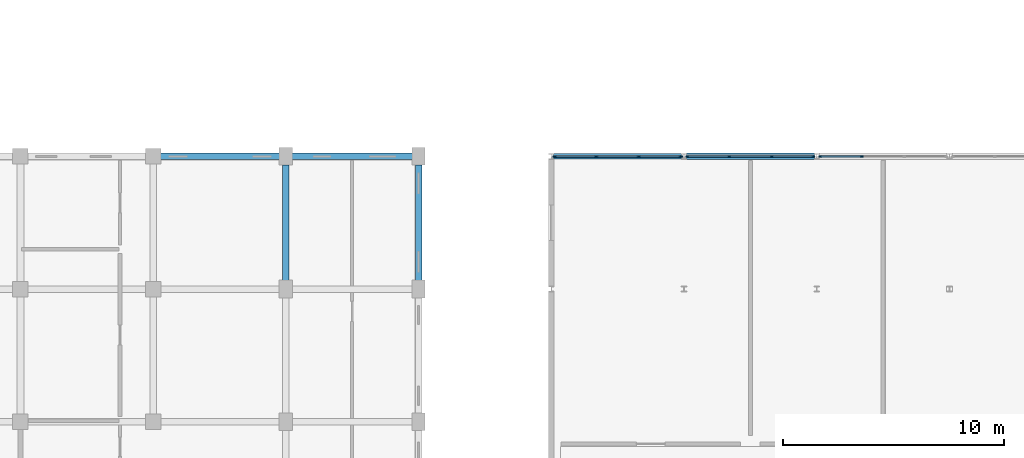
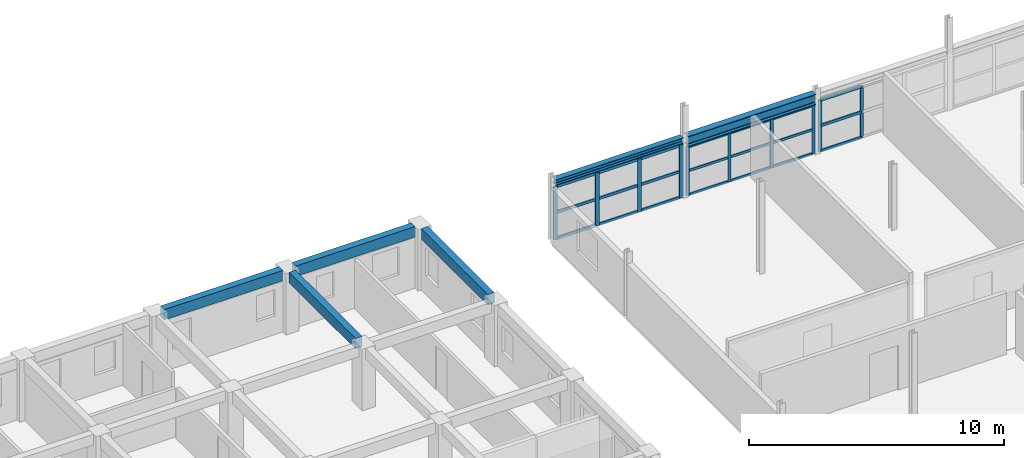
# One storey, part 60 of 137: 31 members, 6 beams, 3 elements without a shape of their own.
"""IFC4 building model written with IfcOpenShell, lengths in metres."""

from ifc_helpers import new_model, si_unit, direction, frame, origin, origin_2d, place, context, subcontext, project, spatial, rectangle, i_section, extrude, material, layer, layer_set, material_profile, profile_set, type_object, element, aggregate, save


model = new_model("IFC4")

# Units and contexts
model_context = context("Model", 3, precision=1e-05, world=origin(), true_north=direction((0.0, 1.0)))
body_context = subcontext(model_context, "Body", "Model", "MODEL_VIEW")
ifc_project = project(units=[si_unit("LENGTHUNIT", "METRE"), si_unit("AREAUNIT", "SQUARE_METRE"), si_unit("VOLUMEUNIT", "CUBIC_METRE"), si_unit("PLANEANGLEUNIT", "RADIAN"), si_unit("MASSUNIT", "GRAM", prefix="KILO"), si_unit("POWERUNIT", "WATT"), si_unit("THERMODYNAMICTEMPERATUREUNIT", "KELVIN")], contexts=[model_context])

# Site, building, storey
site_placement = place(None, origin())
site = spatial("IfcSite", under=ifc_project, at=site_placement, CompositionType="ELEMENT")
building_placement = place(site_placement, origin())
building = spatial("IfcBuilding", under=site, at=building_placement, Name="Ruvembo Vaulted Housing Court", CompositionType="ELEMENT")
storey_placement = place(building_placement, frame((0.0, 0.0, 4.5)))
storey = spatial("IfcBuildingStorey", under=building, at=storey_placement, Name="L01", CompositionType="ELEMENT", Elevation=4.5)

# Beams
ifc_material_1 = material(Name="Steel S355J2", Category="steel")
ifc_material_profile_1 = material_profile(ifc_material_1, i_section(OverallWidth=0.260009765625, OverallDepth=0.260009765625, WebThickness=0.010009765625, FlangeThickness=0.017578125, FilletRadius=0.02392578125, at=origin_2d()), Name="HEB 260")
ifc_profile_set_1 = profile_set([ifc_material_profile_1], Name="Steel S355J2")
beam_type_1 = type_object("IfcBeamType", Name="BM-ST-HEB260", PredefinedType="BEAM", material=ifc_profile_set_1)
beam_1_placement = place(storey_placement, frame((144.10498046875, 36.0, 2.7958984375), z_axis=(1.0, 0.0, 0.0), x_axis=(0.0, 1.0, 0.0)))
element("IfcBeam", 1, at=beam_1_placement, inside=storey, type_object=beam_type_1, Name="L01 Grid Beam X #1204", PredefinedType="BEAM", context=body_context, shape_type="SweptSolid", body=[
    extrude(i_section(OverallWidth=0.260009765625, OverallDepth=0.260009765625, WebThickness=0.010009765625, FlangeThickness=0.017578125, FilletRadius=0.02392578125, at=origin_2d()), origin(), (0.0, 0.0, 1.0), 5.7900390625),
])
ifc_material_profile_2 = material_profile(ifc_material_1, i_section(OverallWidth=0.300048828125, OverallDepth=0.5, WebThickness=0.014404296875, FlangeThickness=0.028076171875, FilletRadius=0.027099609375, at=origin_2d()), Name="HEB 320")
ifc_profile_set_2 = profile_set([ifc_material_profile_2], Name="Steel S355J2")
beam_type_2 = type_object("IfcBeamType", Name="BM-ST-HEB320", PredefinedType="BEAM", material=ifc_profile_set_2)
beam_2_placement = place(storey_placement, frame((150.10498046875, 36.0, 2.676025390625), z_axis=(1.0, 0.0, 0.0), x_axis=(0.0, 1.0, 0.0)))
element("IfcBeam", 2, at=beam_2_placement, inside=storey, type_object=beam_type_2, Name="L01 Grid Beam X #1205", PredefinedType="BEAM", context=body_context, shape_type="SweptSolid", body=[
    extrude(i_section(OverallWidth=0.300048828125, OverallDepth=0.5, WebThickness=0.014404296875, FlangeThickness=0.028076171875, FilletRadius=0.027099609375, at=origin_2d()), origin(), (0.0, 0.0, 1.0), 5.7900390625),
])

# Curtain wall, members
ifc_material_2 = material(Name="Anodised Aluminium and Solar-Control Glass", Category="aluminium")
ifc_layer = layer(ifc_material_2, 0.139892578125, Name="Anodised Aluminium and Solar-Control Glass")
ifc_layer_set = layer_set([ifc_layer], Name="Anodised Aluminium and Solar-Control Glass")
curtain_wall_type = type_object("IfcCurtainWallType", Name="CW-SHOPFRONT-U", PredefinedType="NOTDEFINED", material=ifc_layer_set)
curtain_wall_1_placement = place(storey_placement, origin())
curtain_wall_1 = element("IfcCurtainWall", 3, at=curtain_wall_1_placement, inside=storey, type_object=curtain_wall_type, Name="L01 Curtain Wall CW-L01-0144", PredefinedType="NOTDEFINED")
ifc_material_3 = material(Name="Anodised Aluminium 6063-T6", Category="aluminium")
ifc_material_profile_3 = material_profile(ifc_material_3, rectangle(XDim=0.06005859375, YDim=0.139892578125, at=origin_2d()), Name="ALU 60x140")
ifc_profile_set_3 = profile_set([ifc_material_profile_3], Name="Anodised Aluminium 6063-T6")
member_type_1 = type_object("IfcMemberType", Name="CW-MUL-60x140", PredefinedType="MULLION", material=ifc_profile_set_3)
member_1_placement = place(storey_placement, frame((155.85009765625, 36.0, 0.0), z_axis=(0.0, 0.0, 1.0), x_axis=(0.0, -1.0, 0.0)))
member_1 = element("IfcMember", 4, at=member_1_placement, type_object=member_type_1, Name="CW8 mullion 1", PredefinedType="MULLION", context=body_context, shape_type="SweptSolid", body=[
    extrude(rectangle(XDim=0.06005859375, YDim=0.139892578125, at=origin_2d()), origin(), (0.0, 0.0, 1.0), 2.35791015625),
])
member_2_placement = place(storey_placement, frame((153.9599609375, 36.0, 0.0), z_axis=(0.0, 0.0, 1.0), x_axis=(0.0, -1.0, 0.0)))
member_2 = element("IfcMember", 5, at=member_2_placement, type_object=member_type_1, Name="CW8 mullion 2", PredefinedType="MULLION", context=body_context, shape_type="SweptSolid", body=[
    extrude(rectangle(XDim=0.06005859375, YDim=0.139892578125, at=origin_2d()), origin(), (0.0, 0.0, 1.0), 2.35791015625),
])
member_3_placement = place(storey_placement, frame((152.0400390625, 36.0, 0.0), z_axis=(0.0, 0.0, 1.0), x_axis=(0.0, -1.0, 0.0)))
member_3 = element("IfcMember", 6, at=member_3_placement, type_object=member_type_1, Name="CW8 mullion 3", PredefinedType="MULLION", context=body_context, shape_type="SweptSolid", body=[
    extrude(rectangle(XDim=0.06005859375, YDim=0.139892578125, at=origin_2d()), origin(), (0.0, 0.0, 1.0), 2.35791015625),
])
member_4_placement = place(storey_placement, frame((150.14990234375, 36.0, 0.0), z_axis=(0.0, 0.0, 1.0), x_axis=(0.0, -1.0, 0.0)))
member_4 = element("IfcMember", 7, at=member_4_placement, type_object=member_type_1, Name="CW8 mullion 4", PredefinedType="MULLION", context=body_context, shape_type="SweptSolid", body=[
    extrude(rectangle(XDim=0.06005859375, YDim=0.139892578125, at=origin_2d()), origin(), (0.0, 0.0, 1.0), 2.35791015625),
])

curtain_wall_2_placement = place(storey_placement, origin())
curtain_wall_2 = element("IfcCurtainWall", 8, at=curtain_wall_2_placement, inside=storey, type_object=curtain_wall_type, Name="L01 Curtain Wall CW-L01-0148", PredefinedType="NOTDEFINED")
member_5_placement = place(storey_placement, frame((158.0400390625, 36.0, 0.0), z_axis=(0.0, 0.0, 1.0), x_axis=(0.0, -1.0, 0.0)))
member_5 = element("IfcMember", 9, at=member_5_placement, type_object=member_type_1, Name="CW8 mullion 3", PredefinedType="MULLION", context=body_context, shape_type="SweptSolid", body=[
    extrude(rectangle(XDim=0.06005859375, YDim=0.139892578125, at=origin_2d()), origin(), (0.0, 0.0, 1.0), 2.498046875),
])
member_6_placement = place(storey_placement, frame((156.14990234375, 36.0, 0.0), z_axis=(0.0, 0.0, 1.0), x_axis=(0.0, -1.0, 0.0)))
member_6 = element("IfcMember", 10, at=member_6_placement, type_object=member_type_1, Name="CW8 mullion 4", PredefinedType="MULLION", context=body_context, shape_type="SweptSolid", body=[
    extrude(rectangle(XDim=0.06005859375, YDim=0.139892578125, at=origin_2d()), origin(), (0.0, 0.0, 1.0), 2.498046875),
])

curtain_wall_3_placement = place(storey_placement, origin())
curtain_wall_3 = element("IfcCurtainWall", 11, at=curtain_wall_3_placement, inside=storey, type_object=curtain_wall_type, Name="L01 Curtain Wall CW-L01-0142", PredefinedType="NOTDEFINED")
ifc_material_profile_4 = material_profile(ifc_material_3, rectangle(XDim=0.06494140625, YDim=0.179931640625, at=origin_2d()), Name="ALU 65x180")
ifc_profile_set_4 = profile_set([ifc_material_profile_4], Name="Anodised Aluminium 6063-T6")
member_type_2 = type_object("IfcMemberType", Name="CW-MUL-65x180", PredefinedType="MULLION", material=ifc_profile_set_4)
member_7_placement = place(storey_placement, frame((149.847412109375, 36.0, 0.0), z_axis=(0.0, 0.0, 1.0), x_axis=(0.0, -1.0, 0.0)))
member_7 = element("IfcMember", 12, at=member_7_placement, type_object=member_type_2, Name="CW8 mullion 1", PredefinedType="MULLION", context=body_context, shape_type="SweptSolid", body=[
    extrude(rectangle(XDim=0.06494140625, YDim=0.179931640625, at=origin_2d()), origin(), (0.0, 0.0, 1.0), 2.550048828125),
])
member_8_placement = place(storey_placement, frame((147.9599609375, 36.0, 0.0), z_axis=(0.0, 0.0, 1.0), x_axis=(0.0, -1.0, 0.0)))
member_8 = element("IfcMember", 13, at=member_8_placement, type_object=member_type_2, Name="CW8 mullion 2", PredefinedType="MULLION", context=body_context, shape_type="SweptSolid", body=[
    extrude(rectangle(XDim=0.06494140625, YDim=0.179931640625, at=origin_2d()), origin(), (0.0, 0.0, 1.0), 2.550048828125),
])
member_9_placement = place(storey_placement, frame((146.0400390625, 36.0, 0.0), z_axis=(0.0, 0.0, 1.0), x_axis=(0.0, -1.0, 0.0)))
member_9 = element("IfcMember", 14, at=member_9_placement, type_object=member_type_2, Name="CW8 mullion 3", PredefinedType="MULLION", context=body_context, shape_type="SweptSolid", body=[
    extrude(rectangle(XDim=0.06494140625, YDim=0.179931640625, at=origin_2d()), origin(), (0.0, 0.0, 1.0), 2.550048828125),
])
member_10_placement = place(storey_placement, frame((144.152587890625, 36.0, 0.0), z_axis=(0.0, 0.0, 1.0), x_axis=(0.0, -1.0, 0.0)))
member_10 = element("IfcMember", 15, at=member_10_placement, type_object=member_type_2, Name="CW8 mullion 4", PredefinedType="MULLION", context=body_context, shape_type="SweptSolid", body=[
    extrude(rectangle(XDim=0.06494140625, YDim=0.179931640625, at=origin_2d()), origin(), (0.0, 0.0, 1.0), 2.550048828125),
])

# Member
ifc_material_profile_5 = material_profile(ifc_material_3, rectangle(XDim=0.06005859375, YDim=0.1201171875, at=origin_2d()), Name="ALU 60x120")
ifc_profile_set_5 = profile_set([ifc_material_profile_5], Name="Anodised Aluminium 6063-T6")
member_type_3 = type_object("IfcMemberType", Name="CW-TRANSOM-65x120", PredefinedType="USERDEFINED", material=ifc_profile_set_5)
member_11_placement = place(storey_placement, frame((155.820068359375, 36.0, 0.030029296875), z_axis=(-1.0, 0.0, 0.0), x_axis=(0.0, -1.0, 0.0)))
member_11 = element("IfcMember", 16, at=member_11_placement, type_object=member_type_3, Name="CW8 transom 1.1", ObjectType="TRANSOM", PredefinedType="USERDEFINED", context=body_context, shape_type="SweptSolid", body=[
    extrude(rectangle(XDim=0.06005859375, YDim=0.1201171875, at=origin_2d()), origin(), (0.0, 0.0, 1.0), 1.830078125),
])

member_12_placement = place(storey_placement, frame((155.820068359375, 36.0, 1.178955078125), z_axis=(-1.0, 0.0, 0.0), x_axis=(0.0, -1.0, 0.0)))
member_12 = element("IfcMember", 17, at=member_12_placement, type_object=member_type_3, Name="CW8 transom 1.2", ObjectType="TRANSOM", PredefinedType="USERDEFINED", context=body_context, shape_type="SweptSolid", body=[
    extrude(rectangle(XDim=0.06005859375, YDim=0.1201171875, at=origin_2d()), origin(), (0.0, 0.0, 1.0), 1.830078125),
])

member_13_placement = place(storey_placement, frame((155.820068359375, 36.0, 2.327880859375), z_axis=(-1.0, 0.0, 0.0), x_axis=(0.0, -1.0, 0.0)))
member_13 = element("IfcMember", 18, at=member_13_placement, type_object=member_type_3, Name="CW8 transom 1.3", ObjectType="TRANSOM", PredefinedType="USERDEFINED", context=body_context, shape_type="SweptSolid", body=[
    extrude(rectangle(XDim=0.06005859375, YDim=0.1201171875, at=origin_2d()), origin(), (0.0, 0.0, 1.0), 1.830078125),
])

member_14_placement = place(storey_placement, frame((153.929931640625, 36.0, 0.030029296875), z_axis=(-1.0, 0.0, 0.0), x_axis=(0.0, -1.0, 0.0)))
member_14 = element("IfcMember", 19, at=member_14_placement, type_object=member_type_3, Name="CW8 transom 2.1", ObjectType="TRANSOM", PredefinedType="USERDEFINED", context=body_context, shape_type="SweptSolid", body=[
    extrude(rectangle(XDim=0.06005859375, YDim=0.1201171875, at=origin_2d()), origin(), (0.0, 0.0, 1.0), 1.85986328125),
])

member_15_placement = place(storey_placement, frame((153.929931640625, 36.0, 1.178955078125), z_axis=(-1.0, 0.0, 0.0), x_axis=(0.0, -1.0, 0.0)))
member_15 = element("IfcMember", 20, at=member_15_placement, type_object=member_type_3, Name="CW8 transom 2.2", ObjectType="TRANSOM", PredefinedType="USERDEFINED", context=body_context, shape_type="SweptSolid", body=[
    extrude(rectangle(XDim=0.06005859375, YDim=0.1201171875, at=origin_2d()), origin(), (0.0, 0.0, 1.0), 1.85986328125),
])

member_16_placement = place(storey_placement, frame((153.929931640625, 36.0, 2.327880859375), z_axis=(-1.0, 0.0, 0.0), x_axis=(0.0, -1.0, 0.0)))
member_16 = element("IfcMember", 21, at=member_16_placement, type_object=member_type_3, Name="CW8 transom 2.3", ObjectType="TRANSOM", PredefinedType="USERDEFINED", context=body_context, shape_type="SweptSolid", body=[
    extrude(rectangle(XDim=0.06005859375, YDim=0.1201171875, at=origin_2d()), origin(), (0.0, 0.0, 1.0), 1.85986328125),
])

member_17_placement = place(storey_placement, frame((152.010009765625, 36.0, 0.030029296875), z_axis=(-1.0, 0.0, 0.0), x_axis=(0.0, -1.0, 0.0)))
member_17 = element("IfcMember", 22, at=member_17_placement, type_object=member_type_3, Name="CW8 transom 3.1", ObjectType="TRANSOM", PredefinedType="USERDEFINED", context=body_context, shape_type="SweptSolid", body=[
    extrude(rectangle(XDim=0.06005859375, YDim=0.1201171875, at=origin_2d()), origin(), (0.0, 0.0, 1.0), 1.830078125),
])

member_18_placement = place(storey_placement, frame((152.010009765625, 36.0, 1.178955078125), z_axis=(-1.0, 0.0, 0.0), x_axis=(0.0, -1.0, 0.0)))
member_18 = element("IfcMember", 23, at=member_18_placement, type_object=member_type_3, Name="CW8 transom 3.2", ObjectType="TRANSOM", PredefinedType="USERDEFINED", context=body_context, shape_type="SweptSolid", body=[
    extrude(rectangle(XDim=0.06005859375, YDim=0.1201171875, at=origin_2d()), origin(), (0.0, 0.0, 1.0), 1.830078125),
])

member_19_placement = place(storey_placement, frame((152.010009765625, 36.0, 2.327880859375), z_axis=(-1.0, 0.0, 0.0), x_axis=(0.0, -1.0, 0.0)))
member_19 = element("IfcMember", 24, at=member_19_placement, type_object=member_type_3, Name="CW8 transom 3.3", ObjectType="TRANSOM", PredefinedType="USERDEFINED", context=body_context, shape_type="SweptSolid", body=[
    extrude(rectangle(XDim=0.06005859375, YDim=0.1201171875, at=origin_2d()), origin(), (0.0, 0.0, 1.0), 1.830078125),
])

aggregate(curtain_wall_1, [member_1, member_2, member_3, member_4, member_11, member_12, member_13, member_14, member_15, member_16, member_17, member_18, member_19])

ifc_material_profile_6 = material_profile(ifc_material_3, rectangle(XDim=0.06494140625, YDim=0.135009765625, at=origin_2d()), Name="ALU 65x135")
ifc_profile_set_6 = profile_set([ifc_material_profile_6], Name="Anodised Aluminium 6063-T6")
member_type_4 = type_object("IfcMemberType", Name="CW-TRN-65x135", PredefinedType="USERDEFINED", material=ifc_profile_set_6)
member_20_placement = place(storey_placement, frame((149.81494140625, 36.0, 0.032470703125), z_axis=(-1.0, 0.0, 0.0), x_axis=(0.0, -1.0, 0.0)))
member_20 = element("IfcMember", 25, at=member_20_placement, type_object=member_type_4, Name="CW8 transom 1.1", ObjectType="TRANSOM", PredefinedType="USERDEFINED", context=body_context, shape_type="SweptSolid", body=[
    extrude(rectangle(XDim=0.06494140625, YDim=0.135009765625, at=origin_2d()), origin(), (0.0, 0.0, 1.0), 1.822509765625),
])

member_21_placement = place(storey_placement, frame((149.81494140625, 36.0, 1.27490234375), z_axis=(-1.0, 0.0, 0.0), x_axis=(0.0, -1.0, 0.0)))
member_21 = element("IfcMember", 26, at=member_21_placement, type_object=member_type_4, Name="CW8 transom 1.2", ObjectType="TRANSOM", PredefinedType="USERDEFINED", context=body_context, shape_type="SweptSolid", body=[
    extrude(rectangle(XDim=0.06494140625, YDim=0.135009765625, at=origin_2d()), origin(), (0.0, 0.0, 1.0), 1.822509765625),
])

member_22_placement = place(storey_placement, frame((149.81494140625, 36.0, 2.517578125), z_axis=(-1.0, 0.0, 0.0), x_axis=(0.0, -1.0, 0.0)))
member_22 = element("IfcMember", 27, at=member_22_placement, type_object=member_type_4, Name="CW8 transom 1.3", ObjectType="TRANSOM", PredefinedType="USERDEFINED", context=body_context, shape_type="SweptSolid", body=[
    extrude(rectangle(XDim=0.06494140625, YDim=0.135009765625, at=origin_2d()), origin(), (0.0, 0.0, 1.0), 1.822509765625),
])

member_23_placement = place(storey_placement, frame((147.927490234375, 36.0, 0.032470703125), z_axis=(-1.0, 0.0, 0.0), x_axis=(0.0, -1.0, 0.0)))
member_23 = element("IfcMember", 28, at=member_23_placement, type_object=member_type_4, Name="CW8 transom 2.1", ObjectType="TRANSOM", PredefinedType="USERDEFINED", context=body_context, shape_type="SweptSolid", body=[
    extrude(rectangle(XDim=0.06494140625, YDim=0.135009765625, at=origin_2d()), origin(), (0.0, 0.0, 1.0), 1.85498046875),
])

member_24_placement = place(storey_placement, frame((147.927490234375, 36.0, 1.27490234375), z_axis=(-1.0, 0.0, 0.0), x_axis=(0.0, -1.0, 0.0)))
member_24 = element("IfcMember", 29, at=member_24_placement, type_object=member_type_4, Name="CW8 transom 2.2", ObjectType="TRANSOM", PredefinedType="USERDEFINED", context=body_context, shape_type="SweptSolid", body=[
    extrude(rectangle(XDim=0.06494140625, YDim=0.135009765625, at=origin_2d()), origin(), (0.0, 0.0, 1.0), 1.85498046875),
])

member_25_placement = place(storey_placement, frame((147.927490234375, 36.0, 2.517578125), z_axis=(-1.0, 0.0, 0.0), x_axis=(0.0, -1.0, 0.0)))
member_25 = element("IfcMember", 30, at=member_25_placement, type_object=member_type_4, Name="CW8 transom 2.3", ObjectType="TRANSOM", PredefinedType="USERDEFINED", context=body_context, shape_type="SweptSolid", body=[
    extrude(rectangle(XDim=0.06494140625, YDim=0.135009765625, at=origin_2d()), origin(), (0.0, 0.0, 1.0), 1.85498046875),
])

member_26_placement = place(storey_placement, frame((146.007568359375, 36.0, 0.032470703125), z_axis=(-1.0, 0.0, 0.0), x_axis=(0.0, -1.0, 0.0)))
member_26 = element("IfcMember", 31, at=member_26_placement, type_object=member_type_4, Name="CW8 transom 3.1", ObjectType="TRANSOM", PredefinedType="USERDEFINED", context=body_context, shape_type="SweptSolid", body=[
    extrude(rectangle(XDim=0.06494140625, YDim=0.135009765625, at=origin_2d()), origin(), (0.0, 0.0, 1.0), 1.822509765625),
])

member_27_placement = place(storey_placement, frame((146.007568359375, 36.0, 1.27490234375), z_axis=(-1.0, 0.0, 0.0), x_axis=(0.0, -1.0, 0.0)))
member_27 = element("IfcMember", 32, at=member_27_placement, type_object=member_type_4, Name="CW8 transom 3.2", ObjectType="TRANSOM", PredefinedType="USERDEFINED", context=body_context, shape_type="SweptSolid", body=[
    extrude(rectangle(XDim=0.06494140625, YDim=0.135009765625, at=origin_2d()), origin(), (0.0, 0.0, 1.0), 1.822509765625),
])

member_28_placement = place(storey_placement, frame((146.007568359375, 36.0, 2.517578125), z_axis=(-1.0, 0.0, 0.0), x_axis=(0.0, -1.0, 0.0)))
member_28 = element("IfcMember", 33, at=member_28_placement, type_object=member_type_4, Name="CW8 transom 3.3", ObjectType="TRANSOM", PredefinedType="USERDEFINED", context=body_context, shape_type="SweptSolid", body=[
    extrude(rectangle(XDim=0.06494140625, YDim=0.135009765625, at=origin_2d()), origin(), (0.0, 0.0, 1.0), 1.822509765625),
])

aggregate(curtain_wall_3, [member_7, member_8, member_9, member_10, member_20, member_21, member_22, member_23, member_24, member_25, member_26, member_27, member_28])

member_29_placement = place(storey_placement, frame((158.010009765625, 36.0, 0.032470703125), z_axis=(-1.0, 0.0, 0.0), x_axis=(0.0, -1.0, 0.0)))
member_29 = element("IfcMember", 34, at=member_29_placement, type_object=member_type_4, Name="CW8 transom 3.1", ObjectType="TRANSOM", PredefinedType="USERDEFINED", context=body_context, shape_type="SweptSolid", body=[
    extrude(rectangle(XDim=0.06494140625, YDim=0.135009765625, at=origin_2d()), origin(), (0.0, 0.0, 1.0), 1.830078125),
])

member_30_placement = place(storey_placement, frame((158.010009765625, 36.0, 1.2490234375), z_axis=(-1.0, 0.0, 0.0), x_axis=(0.0, -1.0, 0.0)))
member_30 = element("IfcMember", 35, at=member_30_placement, type_object=member_type_4, Name="CW8 transom 3.2", ObjectType="TRANSOM", PredefinedType="USERDEFINED", context=body_context, shape_type="SweptSolid", body=[
    extrude(rectangle(XDim=0.06494140625, YDim=0.135009765625, at=origin_2d()), origin(), (0.0, 0.0, 1.0), 1.830078125),
])

member_31_placement = place(storey_placement, frame((158.010009765625, 36.0, 2.465576171875), z_axis=(-1.0, 0.0, 0.0), x_axis=(0.0, -1.0, 0.0)))
member_31 = element("IfcMember", 36, at=member_31_placement, type_object=member_type_4, Name="CW8 transom 3.3", ObjectType="TRANSOM", PredefinedType="USERDEFINED", context=body_context, shape_type="SweptSolid", body=[
    extrude(rectangle(XDim=0.06494140625, YDim=0.135009765625, at=origin_2d()), origin(), (0.0, 0.0, 1.0), 1.830078125),
])

aggregate(curtain_wall_2, [member_5, member_6, member_29, member_30, member_31])

# Beams
ifc_material_4 = material(Name="Concrete C35/45", Category="concrete")
ifc_material_profile_7 = material_profile(ifc_material_4, rectangle(XDim=0.300048828125, YDim=0.5, at=origin_2d()), Name="RC 300x500")
ifc_profile_set_7 = profile_set([ifc_material_profile_7], Name="Concrete C35/45")
beam_type_3 = type_object("IfcBeamType", Name="SP-RC-300x500", PredefinedType="SPANDREL", material=ifc_profile_set_7)
beam_3_placement = place(storey_placement, frame((126.3349609375, 36.0, 2.695068359375), z_axis=(1.0, 0.0, 0.0), x_axis=(0.0, 1.0, 0.0)))
element("IfcBeam", 37, at=beam_3_placement, inside=storey, type_object=beam_type_3, Name="L01 Grid Beam X #1202", PredefinedType="SPANDREL", context=body_context, shape_type="SweptSolid", body=[
    extrude(rectangle(XDim=0.300048828125, YDim=0.5, at=origin_2d()), origin(), (0.0, 0.0, 1.0), 5.380126953125),
])
beam_4_placement = place(storey_placement, frame((132.284912109375, 36.0, 2.695068359375), z_axis=(1.0, 0.0, 0.0), x_axis=(0.0, 1.0, 0.0)))
element("IfcBeam", 38, at=beam_4_placement, inside=storey, type_object=beam_type_3, Name="L01 Grid Beam X #1203", PredefinedType="SPANDREL", context=body_context, shape_type="SweptSolid", body=[
    extrude(rectangle(XDim=0.300048828125, YDim=0.5, at=origin_2d()), origin(), (0.0, 0.0, 1.0), 5.43017578125),
])
for number, where, z_axis, x_axis, name in (
    (39, (132.0, 30.385009765625, 2.695068359375), (0.0, 1.0, 0.0), (-1.0, 0.0, 0.0), "L01 Grid Beam Y #1414"),
    (40, (138.0, 30.385009765625, 2.695068359375), (0.0, 1.0, 0.0), (-1.0, 0.0, 0.0), "L01 Grid Beam Y #1420"),
):
    element("IfcBeam", number, at=place(storey_placement, frame(where, z_axis=z_axis, x_axis=x_axis)), inside=storey, type_object=beam_type_3, Name=name, PredefinedType="SPANDREL", context=body_context, shape_type="SweptSolid", body=[
        extrude(rectangle(XDim=0.300048828125, YDim=0.5, at=origin_2d()), origin(), (0.0, 0.0, 1.0), 5.22998046875),
    ])

save(model, "model.ifc")
